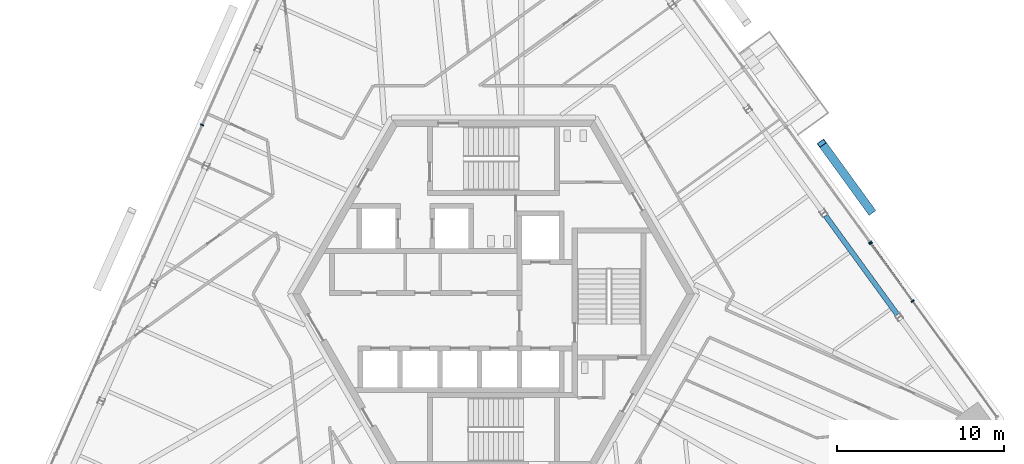
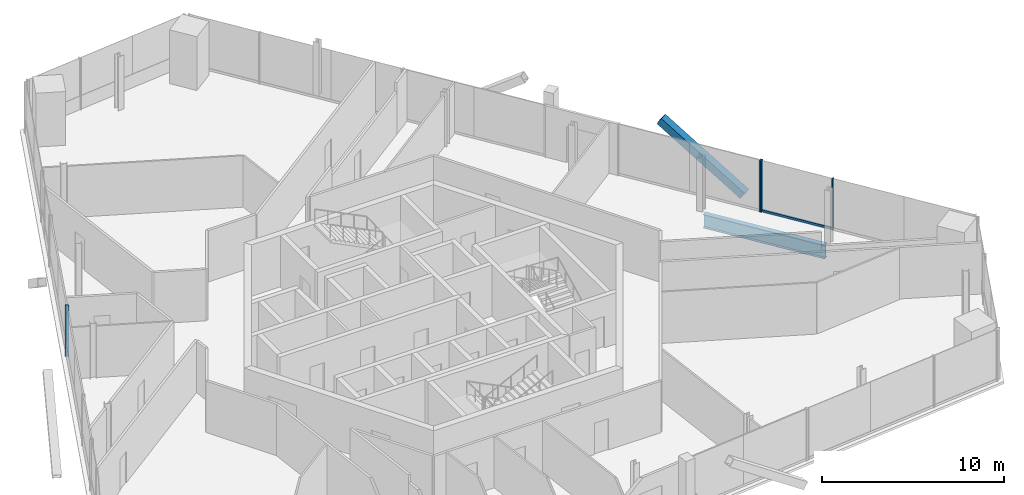
# One storey, part 7 of 18: 6 members, 1 beam, 3 elements without a shape of their own.
"""IFC4 building model written with IfcOpenShell, lengths in metres."""

from ifc_helpers import new_model, si_unit, direction, frame, origin, origin_2d, place, context, subcontext, project, spatial, rectangle, hollow_rectangle, i_section, extrude, source, transform, mapped, material, material_profile, profile_set, type_object, element, aggregate, save


model = new_model("IFC4")

# Units and contexts
model_context = context("Model", 3, precision=1e-05, world=origin(), true_north=direction((0.0, 1.0)))
body_context = subcontext(model_context, "Body", "Model", "MODEL_VIEW")
ifc_project = project(units=[si_unit("LENGTHUNIT", "METRE"), si_unit("AREAUNIT", "SQUARE_METRE"), si_unit("VOLUMEUNIT", "CUBIC_METRE"), si_unit("PLANEANGLEUNIT", "RADIAN"), si_unit("MASSUNIT", "GRAM", prefix="KILO")], contexts=[model_context])

# Site, building, storey
site_placement = place(None, origin())
site = spatial("IfcSite", under=ifc_project, at=site_placement, CompositionType="ELEMENT")
building_placement = place(site_placement, origin())
building = spatial("IfcBuilding", under=site, at=building_placement, Name="Triune Harvest Tower", CompositionType="ELEMENT")
storey_placement = place(building_placement, frame((0.0, 0.0, 230.5)))
storey = spatial("IfcBuildingStorey", under=building, at=storey_placement, Name="L60", CompositionType="ELEMENT", Elevation=230.5)

# Curtain wall, member
ifc_material_1 = material(Name="Aluminium bronze anodised", Category="aluminium")
curtain_wall_type_1 = type_object("IfcCurtainWallType", Name="CW-6 Balcony window wall", PredefinedType="NOTDEFINED", material=ifc_material_1)
curtain_wall_1_placement = place(storey_placement, origin())
curtain_wall_1 = element("IfcCurtainWall", 1, at=curtain_wall_1_placement, inside=storey, type_object=curtain_wall_type_1, Name="CW-6 B6-F1 L60 run 1")
ifc_material_2 = material(Name="Aluminium bronze anodised", Category="aluminium")
ifc_material_profile_1 = material_profile(ifc_material_2, rectangle(XDim=0.090087890625, YDim=0.14990234375, at=origin_2d()), Name="TR-6 transom 90 x 150")
ifc_profile_set_1 = profile_set([ifc_material_profile_1], Name="Aluminium bronze anodised")
member_type_1 = type_object("IfcMemberType", Name="TR-6 transom 90 x 150", PredefinedType="USERDEFINED", material=ifc_profile_set_1)
member_1_placement = place(storey_placement, frame((25.00927734375, -0.390380859375, 0.074951171875), z_axis=(-0.58779016118, 0.809013427836, 0.0), x_axis=(-0.809013427836, -0.58779016118, 0.0)))
member_1 = element("IfcMember", 2, at=member_1_placement, type_object=member_type_1, Name="CW-6 transom B6-F1 1.2", ObjectType="TRANSOM", PredefinedType="USERDEFINED", context=body_context, shape_type="SweptSolid", body=[
    extrude(rectangle(XDim=0.090087890625, YDim=0.14990234375, at=origin_2d()), origin(), (0.0, 0.0, 1.0), 4.18603515625),
])

# Beam
ifc_material_3 = material(Name="Steel ASTM A992 Gr 50", Category="steel")
ifc_material_profile_2 = material_profile(ifc_material_3, i_section(OverallWidth=0.3046875, OverallDepth=0.914306640625, WebThickness=0.0166015625, FlangeThickness=0.02587890625, at=origin_2d()), Name="W36x160")
ifc_profile_set_2 = profile_set([ifc_material_profile_2], Name="Steel ASTM A992 Gr 50")
beam_type = type_object("IfcBeamType", Name="SB-1 Spandrel beam W36x160", PredefinedType="SPANDREL", material=ifc_profile_set_2)
shared_shape_1 = source(origin(), body_context, "Body", "SweptSolid", [
    extrude(i_section(OverallWidth=0.3046875, OverallDepth=0.914306640625, WebThickness=0.0166015625, FlangeThickness=0.02587890625, at=origin_2d()), origin(), (0.0, 0.0, 1.0), 7.31103515625),
])
beam_placement = place(storey_placement, frame((24.119384765625, -1.2333984375, -0.6171875), z_axis=(-0.587786436325, 0.809016134124, 0.0), x_axis=(-0.809016134124, -0.587786436325, 0.0)))
element("IfcBeam", 3, at=beam_placement, inside=storey, type_object=beam_type, Name="beam/L60/SB2", PredefinedType="SPANDREL", context=body_context, shape_type="MappedRepresentation", body=[
    mapped(shared_shape_1, transform((0.0, 0.0, 0.0), scale=1.0)),
])

# Member
ifc_material_4 = material(Name="Steel ASTM A572 Gr 50", Category="steel")
ifc_material_profile_3 = material_profile(ifc_material_4, hollow_rectangle(XDim=0.5, YDim=0.5, WallThickness=0.030029296875, at=origin_2d()), Name="Box 500x500x30")
ifc_profile_set_3 = profile_set([ifc_material_profile_3], Name="Steel ASTM A572 Gr 50")
member_type_2 = type_object("IfcMemberType", Name="BR-3 Brace Box 500x500x30", PredefinedType="BRACE", material=ifc_profile_set_3)
shared_shape_2 = source(origin(), body_context, "Body", "SweptSolid", [
    extrude(hollow_rectangle(XDim=0.5, YDim=0.5, WallThickness=0.030029296875, at=origin_2d()), origin(), (0.0, 0.0, 1.0), 6.1708984375),
])
member_2_placement = place(storey_placement, frame((22.545654296875, 4.95703125, 0.0), z_axis=(-0.477406974246, 0.657062652547, 0.58339630747), x_axis=(-0.809003519911, -0.587803797854, 0.0)))
element("IfcMember", 4, at=member_2_placement, inside=storey, type_object=member_type_2, Name="brace/B6-F1/d1/4", PredefinedType="BRACE", context=body_context, shape_type="MappedRepresentation", body=[
    mapped(shared_shape_2, transform((0.0, 0.0, 0.0), scale=1.0)),
])

# Curtain wall, member
ifc_material_5 = material(Name="Aluminium bronze anodised", Category="aluminium")
curtain_wall_type_2 = type_object("IfcCurtainWallType", Name="CW-7 Tower stick curtain wall with insulated spandrel infill", PredefinedType="NOTDEFINED", material=ifc_material_5)
curtain_wall_2_placement = place(storey_placement, origin())
curtain_wall_2 = element("IfcCurtainWall", 5, at=curtain_wall_2_placement, inside=storey, type_object=curtain_wall_type_2, Name="CW-7 B6-F3 L60 run 1001")
ifc_material_6 = material(Name="Aluminium bronze anodised", Category="aluminium")
ifc_material_profile_4 = material_profile(ifc_material_6, rectangle(XDim=0.199951171875, YDim=0.074951171875, at=origin_2d()), Name="MU-1 mullion 75 x 200")
ifc_profile_set_4 = profile_set([ifc_material_profile_4], Name="Aluminium bronze anodised")
member_type_3 = type_object("IfcMemberType", Name="MU-1 mullion 75 x 200", PredefinedType="MULLION", material=ifc_profile_set_4)
shared_shape_3 = source(origin(), body_context, "Body", "SweptSolid", [
    extrude(rectangle(XDim=0.199951171875, YDim=0.074951171875, at=origin_2d()), origin(), (0.0, 0.0, 1.0), 3.43994140625),
])
member_3_placement = place(storey_placement, frame((-17.399658203125, 10.100341796875, 0.0), z_axis=(0.0, 0.0, 1.0), x_axis=(0.913543213981, -0.406741682385, 0.0)))
member_3 = element("IfcMember", 6, at=member_3_placement, type_object=member_type_3, Name="CW-7 mullion B6-F3 1001.3", PredefinedType="MULLION", context=body_context, shape_type="MappedRepresentation", body=[
    mapped(shared_shape_3, transform((0.0, 0.0, 0.0), scale=1.0)),
])
aggregate(curtain_wall_2, [member_3])

# Member
ifc_material_7 = material(Name="Aluminium bronze anodised", Category="aluminium")
ifc_material_profile_5 = material_profile(ifc_material_7, rectangle(XDim=0.199951171875, YDim=0.074951171875, at=origin_2d()), Name="MU-6 mullion 75 x 200")
ifc_profile_set_5 = profile_set([ifc_material_profile_5], Name="Aluminium bronze anodised")
member_type_4 = type_object("IfcMemberType", Name="MU-6 mullion 75 x 200", PredefinedType="MULLION", material=ifc_profile_set_5)
shared_shape_4 = source(origin(), body_context, "Body", "SweptSolid", [
    extrude(rectangle(XDim=0.199951171875, YDim=0.074951171875, at=origin_2d()), origin(), (0.0, 0.0, 1.0), 3.43994140625),
])
member_4_placement = place(storey_placement, frame((25.03125, -0.420654296875, 0.0), z_axis=(0.0, 0.0, 1.0), x_axis=(-0.809016058557, -0.587786540333, 0.0)))
member_4 = element("IfcMember", 7, at=member_4_placement, type_object=member_type_4, Name="CW-6 mullion B6-F1 1.3", PredefinedType="MULLION", context=body_context, shape_type="MappedRepresentation", body=[
    mapped(shared_shape_4, transform((0.0, 0.0, 0.0), scale=1.0)),
])

member_5_placement = place(storey_placement, frame((22.52685546875, 3.0263671875, 0.0), z_axis=(0.0, 0.0, 1.0), x_axis=(-0.809016058557, -0.587786540333, 0.0)))
member_5 = element("IfcMember", 8, at=member_5_placement, type_object=member_type_4, Name="CW-6 mullion B6-F1 1.4", PredefinedType="MULLION", context=body_context, shape_type="MappedRepresentation", body=[
    mapped(shared_shape_4, transform((0.0, 0.0, 0.0), scale=1.0)),
])

aggregate(curtain_wall_1, [member_4, member_5, member_1])

# Curtain wall, member
ifc_material_8 = material(Name="Aluminium bronze anodised", Category="aluminium")
curtain_wall_type_3 = type_object("IfcCurtainWallType", Name="CW-10 Balcony window wall with insulated spandrel infill", PredefinedType="NOTDEFINED", material=ifc_material_8)
curtain_wall_3_placement = place(storey_placement, origin())
curtain_wall_3 = element("IfcCurtainWall", 9, at=curtain_wall_3_placement, inside=storey, type_object=curtain_wall_type_3, Name="CW-10 B6-F1 L60 run 1001")
member_6_placement = place(storey_placement, frame((22.482666015625, 3.087158203125, 0.0), z_axis=(0.0, 0.0, 1.0), x_axis=(-0.809017635651, -0.58778436965, 0.0)))
member_6 = element("IfcMember", 10, at=member_6_placement, type_object=member_type_4, Name="CW-10 mullion B6-F1 1001.1", PredefinedType="MULLION", context=body_context, shape_type="MappedRepresentation", body=[
    mapped(shared_shape_4, transform((0.0, 0.0, 0.0), scale=1.0)),
])
aggregate(curtain_wall_3, [member_6])

save(model, "model.ifc")
